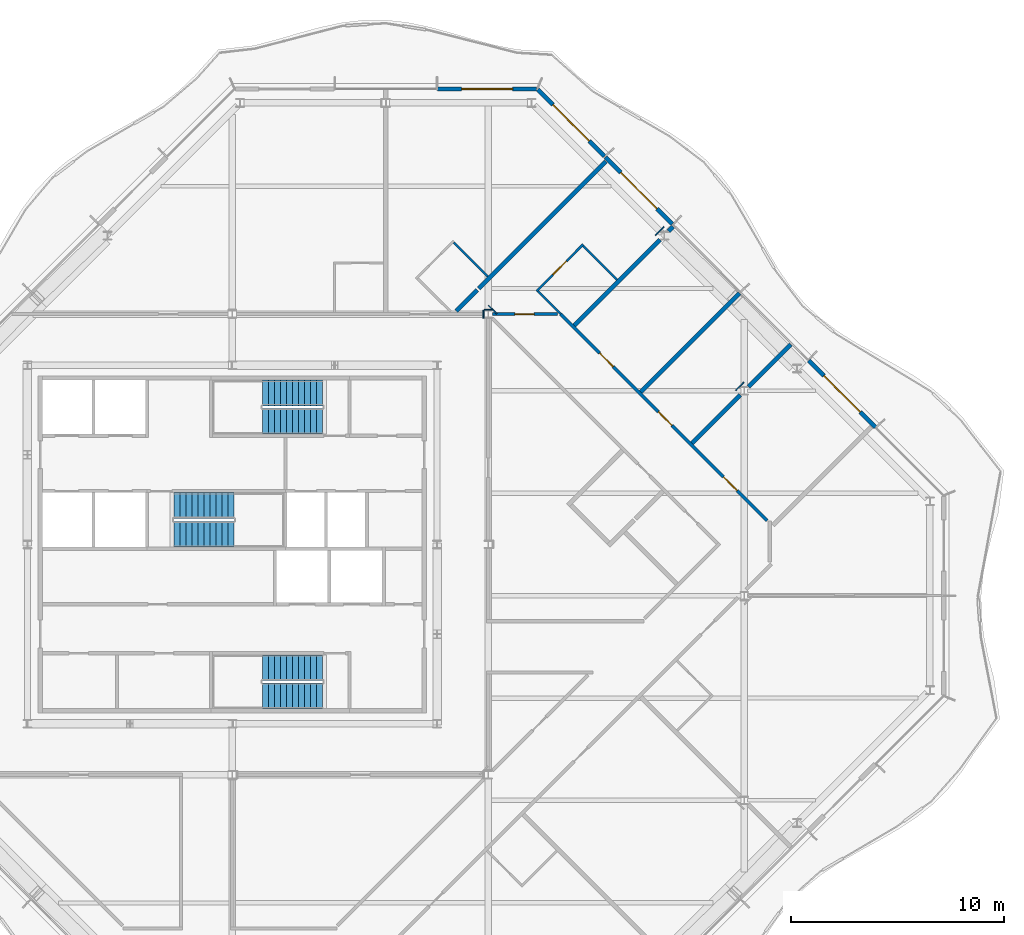
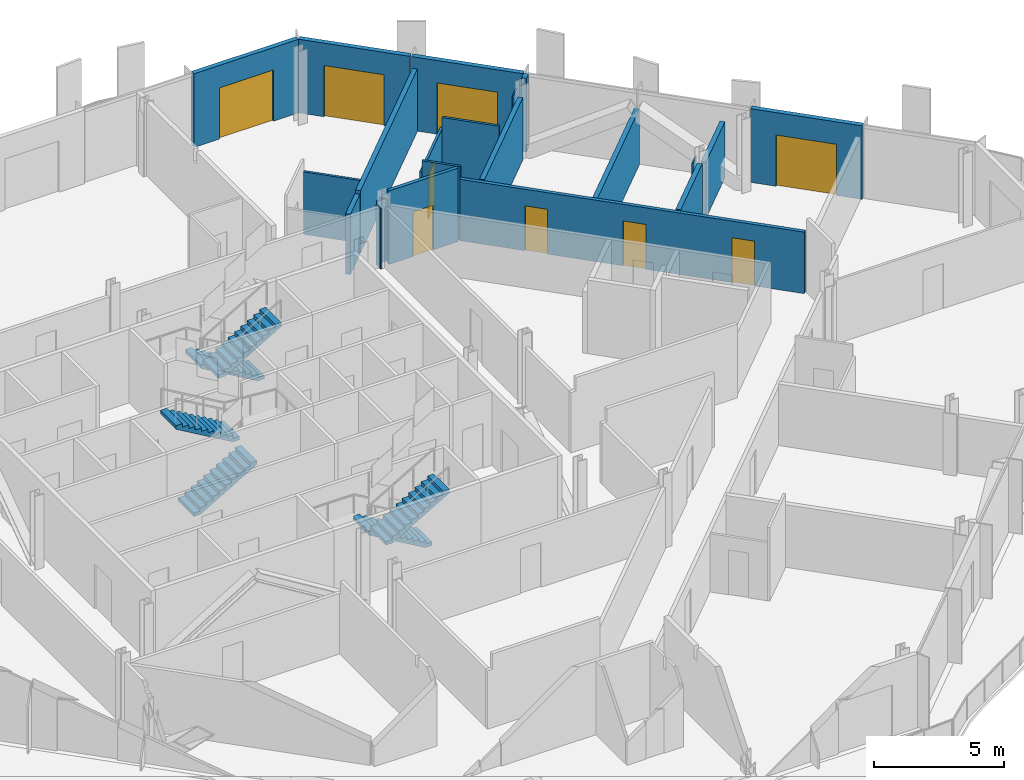
# One storey, part 11 of 16: 22 walls, 9 doors, 6 stair flights, 9 openings, 3 elements without a shape of their own.
"""IFC4 building model written with IfcOpenShell, lengths in metres."""

from ifc_helpers import new_model, si_unit, direction, frame, frame_2d, origin, place, context, subcontext, project, spatial, polyline, rectangle, outline, extrude, material, layer, layer_set, type_object, element, fill, aggregate, save


model = new_model("IFC4")

# Units and contexts
model_context = context("Model", 3, precision=1e-05, world=origin(), true_north=direction((0.0, 1.0)))
body_context = subcontext(model_context, "Body", "Model", "MODEL_VIEW")
ifc_project = project(units=[si_unit("LENGTHUNIT", "METRE"), si_unit("AREAUNIT", "SQUARE_METRE"), si_unit("VOLUMEUNIT", "CUBIC_METRE"), si_unit("PLANEANGLEUNIT", "RADIAN"), si_unit("MASSUNIT", "GRAM", prefix="KILO")], contexts=[model_context])

# Site, building, storey
site_placement = place(None, origin())
site = spatial("IfcSite", under=ifc_project, at=site_placement, CompositionType="ELEMENT")
building_placement = place(site_placement, origin())
building = spatial("IfcBuilding", under=site, at=building_placement, Name="Cairn Pilgrim Tower", CompositionType="ELEMENT")
storey_placement = place(building_placement, frame((0.0, 0.0, 277.800048828125)))
storey = spatial("IfcBuildingStorey", under=building, at=storey_placement, Name="L71", CompositionType="ELEMENT", Elevation=277.800048828125)

# Wall, opening, door
ifc_material_1 = material(Name="Bronze anodised aluminium insulated sandwich panel with mineral wool fill", Category="aluminium")
ifc_layer_1 = layer(ifc_material_1, 0.199951171875)
ifc_layer_set_1 = layer_set([ifc_layer_1], Name="BRONZE INFILL FRAME WALL 200")
wall_type_1 = type_object("IfcWallType", Name="BRONZE INFILL FRAME WALL 200", PredefinedType="NOTDEFINED", material=ifc_layer_set_1)
wall_1_placement = place(storey_placement, frame((37.353271484375, 7.893310546875, 0.0), z_axis=(0.0, 0.0, 1.0), x_axis=(-0.707134329907, 0.707079231393, 0.0)))
wall_1 = element("IfcWall", 1, at=wall_1_placement, inside=storey, type_object=wall_type_1, Name="Bronze infill frame wall IW-NE2", PredefinedType="NOTDEFINED", context=body_context, shape_type="SweptSolid", body=[
    extrude(rectangle(XDim=4.430908203125, YDim=0.199951171875, at=frame_2d((2.21533203125, 0.0))), origin(), (0.0, 0.0, 1.0), 3.449951171875),
])
opening_1_placement = place(wall_1_placement, frame((1.015380859375, 0.0, 0.0)))
opening_1 = element("IfcOpeningElement", 2, at=opening_1_placement, cuts=wall_1, Name="Opening 7105B", PredefinedType="OPENING", context=body_context, shape_type="SweptSolid", body=[
    extrude(rectangle(XDim=2.39990234375, YDim=2.39990234375, at=frame_2d((1.199951171875, 1.199951171875))), frame((0.0, 0.10986328125, 0.0), z_axis=(0.0, -1.0, 0.0), x_axis=(1.0, 0.0, 0.0)), (0.0, 0.0, 1.0), 0.219970703125),
])
ifc_material_2 = material(Name="Bronze anodised aluminium frame with tinted low-E glass", Category="aluminium")
door_type_1 = type_object("IfcDoorType", Name="BALCONY SLIDING DOOR 2400x2400", OperationType="DOUBLE_DOOR_SLIDING", PredefinedType="DOOR", material=ifc_material_2)
door_1_placement = place(opening_1_placement, origin())
door_1 = element("IfcDoor", 3, at=door_1_placement, inside=storey, type_object=door_type_1, Name="Balcony sliding door 7105B", OperationType="SINGLE_SWING_LEFT", OverallHeight=2.39990234375, OverallWidth=2.39990234375, PredefinedType="DOOR", context=body_context, shape_type="SweptSolid", body=[
    extrude(rectangle(XDim=2.39990234375, YDim=2.39990234375, at=frame_2d((1.199951171875, 1.199951171875))), frame((0.0, 0.02490234375, 0.0), z_axis=(0.0, -1.0, 0.0), x_axis=(1.0, 0.0, 0.0)), (0.0, 0.0, 1.0), 0.050048828125),
])
fill(opening_1, door_1)

wall_2_placement = place(storey_placement, frame((27.826416015625, 17.419921875, 0.0), z_axis=(0.0, 0.0, 1.0), x_axis=(-0.707079231393, 0.707134329907, 0.0)))
wall_2 = element("IfcWall", 4, at=wall_2_placement, inside=storey, type_object=wall_type_1, Name="Bronze infill frame wall IW-NE5", PredefinedType="NOTDEFINED", context=body_context, shape_type="SweptSolid", body=[
    extrude(rectangle(XDim=4.430908203125, YDim=0.199951171875, at=frame_2d((2.21533203125, 0.0))), origin(), (0.0, 0.0, 1.0), 3.449951171875),
])
opening_2_placement = place(wall_2_placement, frame((1.01513671875, 0.0, 0.0)))
opening_2 = element("IfcOpeningElement", 5, at=opening_2_placement, cuts=wall_2, Name="Opening 7108B", PredefinedType="OPENING", context=body_context, shape_type="SweptSolid", body=[
    extrude(rectangle(XDim=2.39990234375, YDim=2.39990234375, at=frame_2d((1.199951171875, 1.199951171875))), frame((0.0, 0.10986328125, 0.0), z_axis=(0.0, -1.0, 0.0), x_axis=(1.0, 0.0, 0.0)), (0.0, 0.0, 1.0), 0.219970703125),
])
door_2_placement = place(opening_2_placement, origin())
door_2 = element("IfcDoor", 6, at=door_2_placement, inside=storey, type_object=door_type_1, Name="Balcony sliding door 7108B", OperationType="SINGLE_SWING_LEFT", OverallHeight=2.39990234375, OverallWidth=2.39990234375, PredefinedType="DOOR", context=body_context, shape_type="SweptSolid", body=[
    extrude(rectangle(XDim=2.39990234375, YDim=2.39990234375, at=frame_2d((1.199951171875, 1.199951171875))), frame((0.0, 0.02490234375, 0.0), z_axis=(0.0, -1.0, 0.0), x_axis=(1.0, 0.0, 0.0)), (0.0, 0.0, 1.0), 0.050048828125),
])
fill(opening_2, door_2)

wall_3_placement = place(storey_placement, frame((24.65087890625, 20.595703125, 0.0), z_axis=(0.0, 0.0, 1.0), x_axis=(-0.707134392299, 0.707079168996, 0.0)))
wall_3 = element("IfcWall", 7, at=wall_3_placement, inside=storey, type_object=wall_type_1, Name="Bronze infill frame wall IW-NE6", PredefinedType="NOTDEFINED", context=body_context, shape_type="SweptSolid", body=[
    extrude(rectangle(XDim=4.4208984375, YDim=0.199951171875, at=frame_2d((2.21044921875, 0.0))), origin(), (0.0, 0.0, 1.0), 3.449951171875),
])
opening_3_placement = place(wall_3_placement, frame((1.015625, 0.0, 0.0)))
opening_3 = element("IfcOpeningElement", 8, at=opening_3_placement, cuts=wall_3, Name="Opening 7109B2", PredefinedType="OPENING", context=body_context, shape_type="SweptSolid", body=[
    extrude(rectangle(XDim=2.39990234375, YDim=2.39990234375, at=frame_2d((1.199951171875, 1.199951171875))), frame((0.0, 0.10986328125, 0.0), z_axis=(0.0, -1.0, 0.0), x_axis=(1.0, 0.0, 0.0)), (0.0, 0.0, 1.0), 0.219970703125),
])
door_3_placement = place(opening_3_placement, origin())
door_3 = element("IfcDoor", 9, at=door_3_placement, inside=storey, type_object=door_type_1, Name="Balcony sliding door 7109B2", OperationType="SINGLE_SWING_LEFT", OverallHeight=2.39990234375, OverallWidth=2.39990234375, PredefinedType="DOOR", context=body_context, shape_type="SweptSolid", body=[
    extrude(rectangle(XDim=2.39990234375, YDim=2.39990234375, at=frame_2d((1.199951171875, 1.199951171875))), frame((0.0, 0.02490234375, 0.0), z_axis=(0.0, -1.0, 0.0), x_axis=(1.0, 0.0, 0.0)), (0.0, 0.0, 1.0), 0.050048828125),
])
fill(opening_3, door_3)

wall_4_placement = place(storey_placement, frame((21.45654296875, 23.75, 0.0), z_axis=(0.0, 0.0, 1.0), x_axis=(-1.0, 0.0, 0.0)))
wall_4 = element("IfcWall", 10, at=wall_4_placement, inside=storey, type_object=wall_type_1, Name="Bronze infill frame wall IW-N1", PredefinedType="NOTDEFINED", context=body_context, shape_type="SweptSolid", body=[
    extrude(rectangle(XDim=4.62646484375, YDim=0.199951171875, at=frame_2d((2.313232421875, 0.0))), origin(), (0.0, 0.0, 1.0), 3.449951171875),
])
opening_4_placement = place(wall_4_placement, frame((1.1083984375, 0.0, 0.0)))
opening_4 = element("IfcOpeningElement", 11, at=opening_4_placement, cuts=wall_4, Name="Opening 7109B", PredefinedType="OPENING", context=body_context, shape_type="SweptSolid", body=[
    extrude(rectangle(XDim=2.39990234375, YDim=2.39990234375, at=frame_2d((1.199951171875, 1.199951171875))), frame((0.0, 0.10986328125, 0.0), z_axis=(0.0, -1.0, 0.0), x_axis=(1.0, 0.0, 0.0)), (0.0, 0.0, 1.0), 0.219970703125),
])
door_4_placement = place(opening_4_placement, origin())
door_4 = element("IfcDoor", 12, at=door_4_placement, inside=storey, type_object=door_type_1, Name="Balcony sliding door 7109B", OperationType="SINGLE_SWING_LEFT", OverallHeight=2.39990234375, OverallWidth=2.39990234375, PredefinedType="DOOR", context=body_context, shape_type="SweptSolid", body=[
    extrude(rectangle(XDim=2.39990234375, YDim=2.39990234375, at=frame_2d((1.199951171875, 1.199951171875))), frame((0.0, 0.02490234375, 0.0), z_axis=(0.0, -1.0, 0.0), x_axis=(1.0, 0.0, 0.0)), (0.0, 0.0, 1.0), 0.050048828125),
])
fill(opening_4, door_4)

# Wall
ifc_material_3 = material(Name="Gypsum partition")
ifc_layer_2 = layer(ifc_material_3, 0.10009765625)
ifc_layer_set_2 = layer_set([ifc_layer_2], Name="PARTITION 100 DRYWALL")
wall_type_2 = type_object("IfcWallType", Name="PARTITION 100 DRYWALL", PredefinedType="PARTITIONING", material=ifc_layer_set_2)
wall_5_placement = place(storey_placement, frame((22.593994140625, 13.199951171875, 0.0), z_axis=(0.0, 0.0, 1.0), x_axis=(-0.707106781187, 0.707106781187, 0.0)))
element("IfcWall", 13, at=wall_5_placement, inside=storey, type_object=wall_type_2, Name="PARTITION W054", PredefinedType="PARTITIONING", context=body_context, shape_type="SweptSolid", body=[
    extrude(rectangle(XDim=1.513916015625, YDim=0.10009765625, at=frame_2d((0.7568359375, 0.0))), origin(), (0.0, 0.0, 1.0), 3.449951171875),
])

# Wall, opening, door
wall_6_placement = place(storey_placement, frame((21.45263671875, 14.2705078125, 0.0), z_axis=(0.0, 0.0, 1.0), x_axis=(0.70690988682, 0.707303620743, 0.0)))
wall_6 = element("IfcWall", 14, at=wall_6_placement, inside=storey, type_object=wall_type_2, Name="PARTITION W059", PredefinedType="PARTITIONING", context=body_context, shape_type="SweptSolid", body=[
    extrude(rectangle(XDim=3.100341796875, YDim=0.10009765625, at=frame_2d((1.55029296875, 0.0))), origin(), (0.0, 0.0, 1.0), 2.929931640625),
])
opening_5_placement = place(wall_6_placement, frame((1.100341796875, 0.0, 0.0)))
opening_5 = element("IfcOpeningElement", 15, at=opening_5_placement, cuts=wall_6, Name="Opening 7108A", PredefinedType="OPENING", context=body_context, shape_type="SweptSolid", body=[
    extrude(rectangle(XDim=0.89990234375, YDim=2.10009765625, at=frame_2d((0.449951171875, 1.050048828125))), frame((0.0, 0.06005859375, 0.0), z_axis=(0.0, -1.0, 0.0), x_axis=(1.0, 0.0, 0.0)), (0.0, 0.0, 1.0), 0.1201171875),
])
ifc_material_4 = material(Name="Timber door leaf", Category="wood")
door_type_2 = type_object("IfcDoorType", Name="WC DOOR 900x2100", OperationType="NOTDEFINED", PredefinedType="DOOR", material=ifc_material_4)
door_5_placement = place(opening_5_placement, origin())
door_5 = element("IfcDoor", 16, at=door_5_placement, inside=storey, type_object=door_type_2, Name="DOOR 7108A", OperationType="SINGLE_SWING_LEFT", OverallHeight=2.10009765625, OverallWidth=0.89990234375, PredefinedType="DOOR", context=body_context, shape_type="SweptSolid", body=[
    extrude(rectangle(XDim=0.89990234375, YDim=2.10009765625, at=frame_2d((0.449951171875, 1.050048828125))), frame((0.0, 0.02490234375, 0.0), z_axis=(0.0, -1.0, 0.0), x_axis=(1.0, 0.0, 0.0)), (0.0, 0.0, 1.0), 0.050048828125),
])
fill(opening_5, door_5)

# Walls
wall_7_placement = place(storey_placement, frame((25.2353515625, 14.80078125, 0.0), z_axis=(0.0, 0.0, 1.0), x_axis=(-0.706944047094, 0.707269477836, 0.0)))
element("IfcWall", 17, at=wall_7_placement, inside=storey, type_object=wall_type_2, Name="PARTITION W061", PredefinedType="PARTITIONING", context=body_context, shape_type="SweptSolid", body=[
    extrude(rectangle(XDim=2.250732421875, YDim=0.10009765625, at=frame_2d((1.12548828125, 0.0))), origin(), (0.0, 0.0, 1.0), 3.449951171875),
])
wall_8_placement = place(storey_placement, frame((19.17724609375, 14.9677734375, 0.0), z_axis=(0.0, 0.0, 1.0), x_axis=(-0.706889644159, 0.707323851557, 0.0)))
element("IfcWall", 18, at=wall_8_placement, inside=storey, type_object=wall_type_2, Name="PARTITION W063", PredefinedType="PARTITIONING", context=body_context, shape_type="SweptSolid", body=[
    extrude(rectangle(XDim=2.2490234375, YDim=0.10009765625, at=frame_2d((1.12451171875, 0.0))), origin(), (0.0, 0.0, 1.0), 2.929931640625),
])

# Wall, openings, doors
ifc_layer_3 = layer(ifc_material_3, 0.14990234375)
ifc_layer_set_3 = layer_set([ifc_layer_3], Name="PARTITION 150 DRYWALL EI 60")
wall_type_3 = type_object("IfcWallType", Name="PARTITION 150 DRYWALL EI 60", PredefinedType="PARTITIONING", material=ifc_layer_set_3)
wall_9_placement = place(storey_placement, frame((32.27197265625, 3.52197265625, 0.0), z_axis=(0.0, 0.0, 1.0), x_axis=(-0.707106781187, 0.707106781187, 0.0)))
wall_9 = element("IfcWall", 19, at=wall_9_placement, inside=storey, type_object=wall_type_3, Name="PARTITION W043", PredefinedType="PARTITIONING", context=body_context, shape_type="SweptSolid", body=[
    extrude(rectangle(XDim=13.686767578125, YDim=0.14990234375, at=frame_2d((6.84326171875, 0.0))), origin(), (0.0, 0.0, 1.0), 2.8798828125),
])
opening_6_placement = place(wall_9_placement, frame((1.98779296875, 0.0, 0.0)))
opening_6 = element("IfcOpeningElement", 20, at=opening_6_placement, cuts=wall_9, Name="Opening 7105", PredefinedType="OPENING", context=body_context, shape_type="SweptSolid", body=[
    extrude(rectangle(XDim=0.89990234375, YDim=2.10009765625, at=frame_2d((0.449951171875, 1.050048828125))), frame((0.0, 0.0849609375, 0.0), z_axis=(0.0, -1.0, 0.0), x_axis=(1.0, 0.0, 0.0)), (0.0, 0.0, 1.0), 0.169921875),
])
opening_7_placement = place(wall_9_placement, frame((6.302978515625, 0.0, 0.0)))
opening_7 = element("IfcOpeningElement", 21, at=opening_7_placement, cuts=wall_9, Name="Opening 7106", PredefinedType="OPENING", context=body_context, shape_type="SweptSolid", body=[
    extrude(rectangle(XDim=0.89990234375, YDim=2.10009765625, at=frame_2d((0.449951171875, 1.050048828125))), frame((0.0, 0.0849609375, 0.0), z_axis=(0.0, -1.0, 0.0), x_axis=(1.0, 0.0, 0.0)), (0.0, 0.0, 1.0), 0.169921875),
])
opening_8_placement = place(wall_9_placement, frame((10.199951171875, 0.0, 0.0)))
opening_8 = element("IfcOpeningElement", 22, at=opening_8_placement, cuts=wall_9, Name="Opening 7107", PredefinedType="OPENING", context=body_context, shape_type="SweptSolid", body=[
    extrude(rectangle(XDim=0.89990234375, YDim=2.10009765625, at=frame_2d((0.449951171875, 1.050048828125))), frame((0.0, 0.0849609375, 0.0), z_axis=(0.0, -1.0, 0.0), x_axis=(1.0, 0.0, 0.0)), (0.0, 0.0, 1.0), 0.169921875),
])
door_type_3 = type_object("IfcDoorType", Name="SERVICE DOOR 900x2100 FD30S", OperationType="NOTDEFINED", PredefinedType="DOOR", material=ifc_material_4)
door_6_placement = place(opening_6_placement, frame((0.89990234375, 0.0, 0.0), z_axis=(0.0, 0.0, 1.0), x_axis=(-1.0, 0.0, 0.0)))
door_6 = element("IfcDoor", 23, at=door_6_placement, inside=storey, type_object=door_type_3, Name="DOOR 7105", OperationType="SINGLE_SWING_LEFT", OverallHeight=2.10009765625, OverallWidth=0.89990234375, PredefinedType="DOOR", context=body_context, shape_type="SweptSolid", body=[
    extrude(rectangle(XDim=0.89990234375, YDim=2.10009765625, at=frame_2d((0.449951171875, 1.050048828125))), frame((0.0, 0.02490234375, 0.0), z_axis=(0.0, -1.0, 0.0), x_axis=(1.0, 0.0, 0.0)), (0.0, 0.0, 1.0), 0.050048828125),
])
fill(opening_6, door_6)
door_7_placement = place(opening_7_placement, frame((0.89990234375, 0.0, 0.0), z_axis=(0.0, 0.0, 1.0), x_axis=(-1.0, 0.0, 0.0)))
door_7 = element("IfcDoor", 24, at=door_7_placement, inside=storey, type_object=door_type_3, Name="DOOR 7106", OperationType="SINGLE_SWING_LEFT", OverallHeight=2.10009765625, OverallWidth=0.89990234375, PredefinedType="DOOR", context=body_context, shape_type="SweptSolid", body=[
    extrude(rectangle(XDim=0.89990234375, YDim=2.10009765625, at=frame_2d((0.449951171875, 1.050048828125))), frame((0.0, 0.02490234375, 0.0), z_axis=(0.0, -1.0, 0.0), x_axis=(1.0, 0.0, 0.0)), (0.0, 0.0, 1.0), 0.050048828125),
])
fill(opening_7, door_7)
door_8_placement = place(opening_8_placement, frame((0.89990234375, 0.0, 0.0), z_axis=(0.0, 0.0, 1.0), x_axis=(-1.0, 0.0, 0.0)))
door_8 = element("IfcDoor", 25, at=door_8_placement, inside=storey, type_object=door_type_3, Name="DOOR 7107", OperationType="SINGLE_SWING_LEFT", OverallHeight=2.10009765625, OverallWidth=0.89990234375, PredefinedType="DOOR", context=body_context, shape_type="SweptSolid", body=[
    extrude(rectangle(XDim=0.89990234375, YDim=2.10009765625, at=frame_2d((0.449951171875, 1.050048828125))), frame((0.0, 0.02490234375, 0.0), z_axis=(0.0, -1.0, 0.0), x_axis=(1.0, 0.0, 0.0)), (0.0, 0.0, 1.0), 0.050048828125),
])
fill(opening_8, door_8)

# Wall, opening, door
wall_10_placement = place(storey_placement, frame((19.39697265625, 13.199951171875, 0.0), z_axis=(0.0, 0.0, 1.0), x_axis=(1.0, 0.0, 0.0)))
wall_10 = element("IfcWall", 26, at=wall_10_placement, inside=storey, type_object=wall_type_3, Name="PARTITION W053", PredefinedType="PARTITIONING", context=body_context, shape_type="SweptSolid", body=[
    extrude(rectangle(XDim=3.05126953125, YDim=0.14990234375, at=frame_2d((1.525634765625, 0.0))), origin(), (0.0, 0.0, 1.0), 3.449951171875),
])
opening_9_placement = place(wall_10_placement, frame((1.050048828125, 0.0, 0.0)))
opening_9 = element("IfcOpeningElement", 27, at=opening_9_placement, cuts=wall_10, Name="Opening 7108", PredefinedType="OPENING", context=body_context, shape_type="SweptSolid", body=[
    extrude(rectangle(XDim=0.89990234375, YDim=2.10009765625, at=frame_2d((0.449951171875, 1.050048828125))), frame((0.0, 0.0849609375, 0.0), z_axis=(0.0, -1.0, 0.0), x_axis=(1.0, 0.0, 0.0)), (0.0, 0.0, 1.0), 0.169921875),
])
door_type_4 = type_object("IfcDoorType", Name="ROOM DOOR 900x2100 FD30S", OperationType="NOTDEFINED", PredefinedType="DOOR", material=ifc_material_4)
door_9_placement = place(opening_9_placement, origin())
door_9 = element("IfcDoor", 28, at=door_9_placement, inside=storey, type_object=door_type_4, Name="DOOR 7108", OperationType="SINGLE_SWING_LEFT", OverallHeight=2.10009765625, OverallWidth=0.89990234375, PredefinedType="DOOR", context=body_context, shape_type="SweptSolid", body=[
    extrude(rectangle(XDim=0.89990234375, YDim=2.10009765625, at=frame_2d((0.449951171875, 1.050048828125))), frame((0.0, 0.02490234375, 0.0), z_axis=(0.0, -1.0, 0.0), x_axis=(1.0, 0.0, 0.0)), (0.0, 0.0, 1.0), 0.050048828125),
])
fill(opening_9, door_9)

# Walls
ifc_layer_4 = layer(ifc_material_3, 0.050048828125)
ifc_layer_set_4 = layer_set([ifc_layer_4], Name="PARTITION 50 DRYWALL EI 60")
wall_type_4 = type_object("IfcWallType", Name="PARTITION 50 DRYWALL EI 60", PredefinedType="PARTITIONING", material=ifc_layer_set_4)
wall_11_placement = place(storey_placement, frame((18.97802734375, 13.012451171875, 0.0), z_axis=(0.0, 0.0, 1.0), x_axis=(0.0, 1.0, 0.0)))
element("IfcWall", 29, at=wall_11_placement, inside=storey, type_object=wall_type_4, Name="COLUMN CASING WC16", PredefinedType="PARTITIONING", context=body_context, shape_type="SweptSolid", body=[
    extrude(rectangle(XDim=0.375, YDim=0.050048828125, at=frame_2d((0.1875, 0.0))), origin(), (0.0, 0.0, 1.0), 2.829833984375),
])
wall_12_placement = place(storey_placement, frame((19.602294921875, 13.2177734375, 0.0), z_axis=(0.0, 0.0, 1.0), x_axis=(-0.707106781187, 0.707106781187, 0.0)))
element("IfcWall", 30, at=wall_12_placement, inside=storey, type_object=wall_type_4, Name="COLUMN CASING WC18", PredefinedType="PARTITIONING", context=body_context, shape_type="SweptSolid", body=[
    extrude(rectangle(XDim=0.543701171875, YDim=0.050048828125, at=frame_2d((0.27197265625, 0.0))), origin(), (0.0, 0.0, 1.0), 2.929931640625),
])
wall_13_placement = place(storey_placement, frame((30.7978515625, 9.61767578125, 0.0), z_axis=(0.0, 0.0, 1.0), x_axis=(0.707106781187, 0.707106781187, 0.0)))
element("IfcWall", 31, at=wall_13_placement, inside=storey, type_object=wall_type_4, Name="COLUMN CASING WC19", PredefinedType="PARTITIONING", context=body_context, shape_type="SweptSolid", body=[
    extrude(rectangle(XDim=0.543701171875, YDim=0.050048828125, at=frame_2d((0.27197265625, 0.0))), origin(), (0.0, 0.0, 1.0), 2.8798828125),
])
wall_14_placement = place(storey_placement, frame((27.037841796875, 16.893310546875, 0.0), z_axis=(0.0, 0.0, 1.0), x_axis=(0.707106781187, 0.707106781187, 0.0)))
element("IfcWall", 32, at=wall_14_placement, inside=storey, type_object=wall_type_4, Name="COLUMN CASING WC20", PredefinedType="PARTITIONING", context=body_context, shape_type="SweptSolid", body=[
    extrude(rectangle(XDim=0.56005859375, YDim=0.050048828125, at=frame_2d((0.280029296875, 0.0))), origin(), (0.0, 0.0, 1.0), 2.929931640625),
])
wall_15_placement = place(storey_placement, frame((19.0029296875, 13.41259765625, 0.0), z_axis=(0.0, 0.0, 1.0), x_axis=(1.0, 0.0, 0.0)))
element("IfcWall", 33, at=wall_15_placement, inside=storey, type_object=wall_type_4, Name="COLUMN CASING WC22", PredefinedType="PARTITIONING", context=body_context, shape_type="SweptSolid", body=[
    extrude(rectangle(XDim=0.39404296875, YDim=0.050048828125, at=frame_2d((0.197021484375, 0.0))), origin(), (0.0, 0.0, 1.0), 2.929931640625),
])
ifc_layer_5 = layer(ifc_material_3, 0.199951171875)
ifc_layer_set_5 = layer_set([ifc_layer_5], Name="SHAFT WALL 200 GYPSUM EI 60")
wall_type_5 = type_object("IfcWallType", Name="SHAFT WALL 200 GYPSUM EI 60", PredefinedType="PARTITIONING", material=ifc_layer_set_5)
wall_16_placement = place(storey_placement, frame((28.75, 7.14990234375, 0.0), z_axis=(0.0, 0.0, 1.0), x_axis=(0.707106781187, 0.707106781187, 0.0)))
element("IfcWall", 34, at=wall_16_placement, inside=storey, type_object=wall_type_5, Name="PARTITION W046", PredefinedType="PARTITIONING", context=body_context, shape_type="SweptSolid", body=[
    extrude(rectangle(XDim=3.193115234375, YDim=0.199951171875, at=frame_2d((1.5966796875, 0.0))), origin(), (0.0, 0.0, 1.0), 2.929931640625),
])
wall_17_placement = place(storey_placement, frame((26.35009765625, 9.550048828125, 0.0), z_axis=(0.0, 0.0, 1.0), x_axis=(0.707088140984, 0.707125420898, 0.0)))
element("IfcWall", 35, at=wall_17_placement, inside=storey, type_object=wall_type_5, Name="PARTITION W047", PredefinedType="PARTITIONING", context=body_context, shape_type="SweptSolid", body=[
    extrude(rectangle(XDim=6.548828125, YDim=0.199951171875, at=frame_2d((3.2744140625, 0.0))), origin(), (0.0, 0.0, 1.0), 2.6298828125),
])
wall_18_placement = place(storey_placement, frame((31.392333984375, 9.792236328125, 0.0), z_axis=(0.0, 0.0, 1.0), x_axis=(0.707106781187, 0.707106781187, 0.0)))
element("IfcWall", 36, at=wall_18_placement, inside=storey, type_object=wall_type_5, Name="PARTITION W048", PredefinedType="PARTITIONING", context=body_context, shape_type="SweptSolid", body=[
    extrude(rectangle(XDim=2.812255859375, YDim=0.199951171875, at=frame_2d((1.40625, 0.0))), origin(), (0.0, 0.0, 1.0), 2.6298828125),
])
wall_19_placement = place(storey_placement, frame((23.238037109375, 12.662109375, 0.0), z_axis=(0.0, 0.0, 1.0), x_axis=(0.707128276734, 0.707085284986, 0.0)))
element("IfcWall", 37, at=wall_19_placement, inside=storey, type_object=wall_type_5, Name="PARTITION W050", PredefinedType="PARTITIONING", context=body_context, shape_type="SweptSolid", body=[
    extrude(rectangle(XDim=5.6787109375, YDim=0.199951171875, at=frame_2d((2.83935546875, 0.0))), origin(), (0.0, 0.0, 1.0), 2.929931640625),
])
wall_20_placement = place(storey_placement, frame((17.697509765625, 13.345703125, 0.0), z_axis=(0.0, 0.0, 1.0), x_axis=(0.707019164958, 0.70719438656, 0.0)))
element("IfcWall", 38, at=wall_20_placement, inside=storey, type_object=wall_type_5, Name="PARTITION W058", PredefinedType="PARTITIONING", context=body_context, shape_type="SweptSolid", body=[
    extrude(rectangle(XDim=1.393310546875, YDim=0.199951171875, at=frame_2d((0.69677734375, 0.0))), origin(), (0.0, 0.0, 1.0), 2.829833984375),
])
wall_21_placement = place(storey_placement, frame((18.7529296875, 14.402099609375, 0.0), z_axis=(0.0, 0.0, 1.0), x_axis=(0.707179267043, 0.707034287899, 0.0)))
element("IfcWall", 39, at=wall_21_placement, inside=storey, type_object=wall_type_5, Name="PARTITION W060", PredefinedType="PARTITIONING", context=body_context, shape_type="SweptSolid", body=[
    extrude(rectangle(XDim=8.419921875, YDim=0.199951171875, at=frame_2d((4.2099609375, 0.0))), origin(), (0.0, 0.0, 1.0), 2.929931640625),
])
wall_22_placement = place(storey_placement, frame((27.649658203125, 17.073486328125, 0.0), z_axis=(0.0, 0.0, 1.0), x_axis=(0.707106781187, 0.707106781187, 0.0)))
element("IfcWall", 40, at=wall_22_placement, inside=storey, type_object=wall_type_5, Name="PARTITION W065", PredefinedType="PARTITIONING", context=body_context, shape_type="SweptSolid", body=[
    extrude(rectangle(XDim=0.31005859375, YDim=0.199951171875, at=frame_2d((0.155029296875, 0.0))), origin(), (0.0, 0.0, 1.0), 3.449951171875),
])

# Stair, stair flights
ifc_material_5 = material(Name="Concrete C32/40", Category="concrete")
stair_type = type_object("IfcStairType", Name="EXIT STAIR 1200", PredefinedType="HALF_TURN_STAIR", material=ifc_material_5)
stair_1_placement = place(storey_placement, origin())
stair_1 = element("IfcStair", 41, at=stair_1_placement, inside=storey, type_object=stair_type, Name="L71 Exit Stair A", PredefinedType="HALF_TURN_STAIR")
stair_flight_type = type_object("IfcStairFlightType", Name="STAIR FLIGHT 1200", PredefinedType="STRAIGHT", material=ifc_material_5)
stair_flight_1_placement = place(storey_placement, frame((11.425048828125, -3.375, 0.0), z_axis=(0.0, 0.0, 1.0), x_axis=(-1.0, 0.0, 0.0)))
stair_flight_1 = element("IfcStairFlight", 42, at=stair_flight_1_placement, type_object=stair_flight_type, Name="ST-A flight 1", NumberOfRisers=11, NumberOfTreads=10, PredefinedType="STRAIGHT", RiserHeight=0.163636364, TreadLength=0.28, context=body_context, shape_type="SweptSolid", body=[
    extrude(outline(polyline([(0.0, 0.0), (0.0, 0.16357421875), (0.280029296875, 0.16357421875), (0.280029296875, 0.327392578125), (0.56005859375, 0.327392578125), (0.56005859375, 0.490966796875), (0.840087890625, 0.490966796875), (0.840087890625, 0.654541015625), (1.1201171875, 0.654541015625), (1.1201171875, 0.818115234375), (1.39990234375, 0.818115234375), (1.39990234375, 0.98193359375), (1.679931640625, 0.98193359375), (1.679931640625, 1.1455078125), (1.9599609375, 1.1455078125), (1.9599609375, 1.30908203125), (2.239990234375, 1.30908203125), (2.239990234375, 1.47265625), (2.52001953125, 1.47265625), (2.52001953125, 1.636474609375), (2.800048828125, 1.636474609375), (2.800048828125, 1.800048828125), (2.800048828125, 1.462646484375), (0.297119140625, 0.0), (0.0, 0.0)])), frame((0.0, 0.60009765625, 0.0), z_axis=(0.0, -1.0, 0.0), x_axis=(1.0, 0.0, 0.0)), (0.0, 0.0, 1.0), 1.199951171875),
])
stair_flight_2_placement = place(storey_placement, frame((8.625, -4.699951171875, 1.800048828125), z_axis=(0.0, 0.0, 1.0), x_axis=(1.0, 0.0, 0.0)))
stair_flight_2 = element("IfcStairFlight", 43, at=stair_flight_2_placement, type_object=stair_flight_type, Name="ST-A flight 2", NumberOfRisers=11, NumberOfTreads=10, PredefinedType="STRAIGHT", RiserHeight=0.163636364, TreadLength=0.28, context=body_context, shape_type="SweptSolid", body=[
    extrude(outline(polyline([(0.0, 0.0), (0.0, 0.16357421875), (0.280029296875, 0.16357421875), (0.280029296875, 0.327392578125), (0.56005859375, 0.327392578125), (0.56005859375, 0.490966796875), (0.840087890625, 0.490966796875), (0.840087890625, 0.654541015625), (1.1201171875, 0.654541015625), (1.1201171875, 0.818115234375), (1.39990234375, 0.818115234375), (1.39990234375, 0.98193359375), (1.679931640625, 0.98193359375), (1.679931640625, 1.1455078125), (1.9599609375, 1.1455078125), (1.9599609375, 1.30908203125), (2.239990234375, 1.30908203125), (2.239990234375, 1.47265625), (2.52001953125, 1.47265625), (2.52001953125, 1.636474609375), (2.800048828125, 1.636474609375), (2.800048828125, 1.800048828125), (2.800048828125, 1.462646484375), (0.297119140625, 0.0), (0.0, 0.0)])), frame((0.0, 0.60009765625, 0.0), z_axis=(0.0, -1.0, 0.0), x_axis=(1.0, 0.0, 0.0)), (0.0, 0.0, 1.0), 1.199951171875),
])
aggregate(stair_1, [stair_flight_1, stair_flight_2])

stair_2_placement = place(storey_placement, origin())
stair_2 = element("IfcStair", 44, at=stair_2_placement, inside=storey, type_object=stair_type, Name="L71 Exit Stair B", PredefinedType="HALF_TURN_STAIR")
stair_flight_3_placement = place(storey_placement, frame((4.47509765625, 2.875, 0.0), z_axis=(0.0, 0.0, 1.0), x_axis=(1.0, 0.0, 0.0)))
stair_flight_3 = element("IfcStairFlight", 45, at=stair_flight_3_placement, type_object=stair_flight_type, Name="ST-B flight 1", NumberOfRisers=11, NumberOfTreads=10, PredefinedType="STRAIGHT", RiserHeight=0.163636364, TreadLength=0.28, context=body_context, shape_type="SweptSolid", body=[
    extrude(outline(polyline([(0.0, 0.0), (0.0, 0.16357421875), (0.280029296875, 0.16357421875), (0.280029296875, 0.327392578125), (0.56005859375, 0.327392578125), (0.56005859375, 0.490966796875), (0.840087890625, 0.490966796875), (0.840087890625, 0.654541015625), (1.1201171875, 0.654541015625), (1.1201171875, 0.818115234375), (1.39990234375, 0.818115234375), (1.39990234375, 0.98193359375), (1.679931640625, 0.98193359375), (1.679931640625, 1.1455078125), (1.9599609375, 1.1455078125), (1.9599609375, 1.30908203125), (2.239990234375, 1.30908203125), (2.239990234375, 1.47265625), (2.52001953125, 1.47265625), (2.52001953125, 1.636474609375), (2.800048828125, 1.636474609375), (2.800048828125, 1.800048828125), (2.800048828125, 1.462646484375), (0.297119140625, 0.0), (0.0, 0.0)])), frame((0.0, 0.60009765625, 0.0), z_axis=(0.0, -1.0, 0.0), x_axis=(1.0, 0.0, 0.0)), (0.0, 0.0, 1.0), 1.199951171875),
])
stair_flight_4_placement = place(storey_placement, frame((7.27490234375, 4.22509765625, 1.800048828125), z_axis=(0.0, 0.0, 1.0), x_axis=(-1.0, 0.0, 0.0)))
stair_flight_4 = element("IfcStairFlight", 46, at=stair_flight_4_placement, type_object=stair_flight_type, Name="ST-B flight 2", NumberOfRisers=11, NumberOfTreads=10, PredefinedType="STRAIGHT", RiserHeight=0.163636364, TreadLength=0.28, context=body_context, shape_type="SweptSolid", body=[
    extrude(outline(polyline([(0.0, 0.0), (0.0, 0.16357421875), (0.280029296875, 0.16357421875), (0.280029296875, 0.327392578125), (0.56005859375, 0.327392578125), (0.56005859375, 0.490966796875), (0.840087890625, 0.490966796875), (0.840087890625, 0.654541015625), (1.1201171875, 0.654541015625), (1.1201171875, 0.818115234375), (1.39990234375, 0.818115234375), (1.39990234375, 0.98193359375), (1.679931640625, 0.98193359375), (1.679931640625, 1.1455078125), (1.9599609375, 1.1455078125), (1.9599609375, 1.30908203125), (2.239990234375, 1.30908203125), (2.239990234375, 1.47265625), (2.52001953125, 1.47265625), (2.52001953125, 1.636474609375), (2.800048828125, 1.636474609375), (2.800048828125, 1.800048828125), (2.800048828125, 1.462646484375), (0.297119140625, 0.0), (0.0, 0.0)])), frame((0.0, 0.60009765625, 0.0), z_axis=(0.0, -1.0, 0.0), x_axis=(1.0, 0.0, 0.0)), (0.0, 0.0, 1.0), 1.199951171875),
])
aggregate(stair_2, [stair_flight_3, stair_flight_4])

stair_3_placement = place(storey_placement, origin())
stair_3 = element("IfcStair", 47, at=stair_3_placement, inside=storey, type_object=stair_type, Name="L71 Exit Stair C", PredefinedType="HALF_TURN_STAIR")
stair_flight_5_placement = place(storey_placement, frame((11.425048828125, 9.5, 0.0), z_axis=(0.0, 0.0, 1.0), x_axis=(-1.0, 0.0, 0.0)))
stair_flight_5 = element("IfcStairFlight", 48, at=stair_flight_5_placement, type_object=stair_flight_type, Name="ST-C flight 1", NumberOfRisers=11, NumberOfTreads=10, PredefinedType="STRAIGHT", RiserHeight=0.163636364, TreadLength=0.28, context=body_context, shape_type="SweptSolid", body=[
    extrude(outline(polyline([(0.0, 0.0), (0.0, 0.16357421875), (0.280029296875, 0.16357421875), (0.280029296875, 0.327392578125), (0.56005859375, 0.327392578125), (0.56005859375, 0.490966796875), (0.840087890625, 0.490966796875), (0.840087890625, 0.654541015625), (1.1201171875, 0.654541015625), (1.1201171875, 0.818115234375), (1.39990234375, 0.818115234375), (1.39990234375, 0.98193359375), (1.679931640625, 0.98193359375), (1.679931640625, 1.1455078125), (1.9599609375, 1.1455078125), (1.9599609375, 1.30908203125), (2.239990234375, 1.30908203125), (2.239990234375, 1.47265625), (2.52001953125, 1.47265625), (2.52001953125, 1.636474609375), (2.800048828125, 1.636474609375), (2.800048828125, 1.800048828125), (2.800048828125, 1.462646484375), (0.297119140625, 0.0), (0.0, 0.0)])), frame((0.0, 0.60009765625, 0.0), z_axis=(0.0, -1.0, 0.0), x_axis=(1.0, 0.0, 0.0)), (0.0, 0.0, 1.0), 1.199951171875),
])
stair_flight_6_placement = place(storey_placement, frame((8.625, 8.175048828125, 1.800048828125), z_axis=(0.0, 0.0, 1.0), x_axis=(1.0, 0.0, 0.0)))
stair_flight_6 = element("IfcStairFlight", 49, at=stair_flight_6_placement, type_object=stair_flight_type, Name="ST-C flight 2", NumberOfRisers=11, NumberOfTreads=10, PredefinedType="STRAIGHT", RiserHeight=0.163636364, TreadLength=0.28, context=body_context, shape_type="SweptSolid", body=[
    extrude(outline(polyline([(0.0, 0.0), (0.0, 0.16357421875), (0.280029296875, 0.16357421875), (0.280029296875, 0.327392578125), (0.56005859375, 0.327392578125), (0.56005859375, 0.490966796875), (0.840087890625, 0.490966796875), (0.840087890625, 0.654541015625), (1.1201171875, 0.654541015625), (1.1201171875, 0.818115234375), (1.39990234375, 0.818115234375), (1.39990234375, 0.98193359375), (1.679931640625, 0.98193359375), (1.679931640625, 1.1455078125), (1.9599609375, 1.1455078125), (1.9599609375, 1.30908203125), (2.239990234375, 1.30908203125), (2.239990234375, 1.47265625), (2.52001953125, 1.47265625), (2.52001953125, 1.636474609375), (2.800048828125, 1.636474609375), (2.800048828125, 1.800048828125), (2.800048828125, 1.462646484375), (0.297119140625, 0.0), (0.0, 0.0)])), frame((0.0, 0.60009765625, 0.0), z_axis=(0.0, -1.0, 0.0), x_axis=(1.0, 0.0, 0.0)), (0.0, 0.0, 1.0), 1.199951171875),
])
aggregate(stair_3, [stair_flight_5, stair_flight_6])

save(model, "model.ifc")
